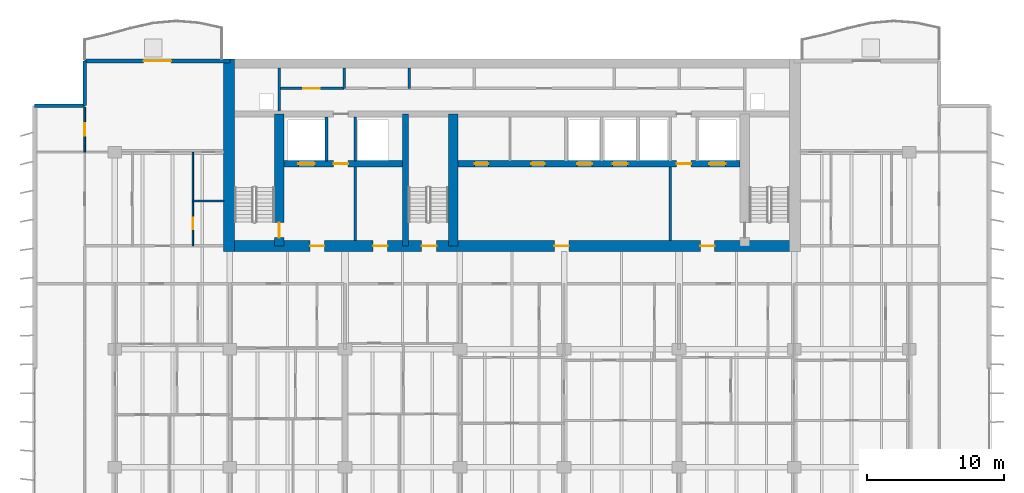
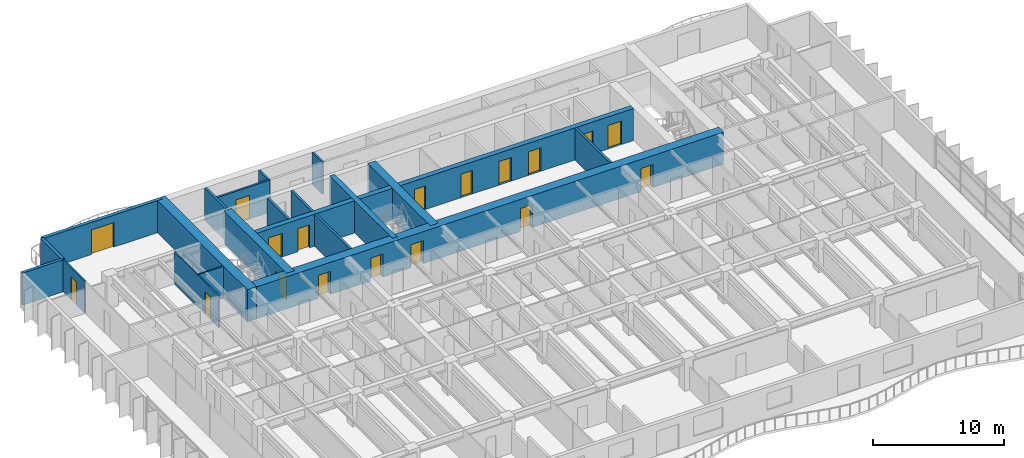
# One storey, part 10 of 16: 20 walls, 18 doors, 18 openings.
"""IFC4 building model written with IfcOpenShell, lengths in metres."""

from ifc_helpers import new_model, si_unit, direction, frame, frame_2d, origin, place, context, subcontext, project, spatial, rectangle, extrude, material, layer, layer_set, type_object, element, fill, save


model = new_model("IFC4")

# Units and contexts
model_context = context("Model", 3, precision=1e-05, world=origin(), true_north=direction((0.0, 1.0)))
body_context = subcontext(model_context, "Body", "Model", "MODEL_VIEW")
ifc_project = project(units=[si_unit("LENGTHUNIT", "METRE"), si_unit("AREAUNIT", "SQUARE_METRE"), si_unit("VOLUMEUNIT", "CUBIC_METRE"), si_unit("PLANEANGLEUNIT", "RADIAN"), si_unit("MASSUNIT", "GRAM", prefix="KILO")], contexts=[model_context])

# Site, building, storey
site_placement = place(None, origin())
site = spatial("IfcSite", under=ifc_project, at=site_placement, CompositionType="ELEMENT")
building_placement = place(site_placement, origin())
building = spatial("IfcBuilding", under=site, at=building_placement, Name="Caelmar Bay Residences", CompositionType="ELEMENT")
storey_placement = place(building_placement, frame((0.0, 0.0, 148.800048828125)))
storey = spatial("IfcBuildingStorey", under=building, at=storey_placement, Name="L41", CompositionType="ELEMENT", Elevation=148.800048828125)

# Wall, opening, door
ifc_material_1 = material(Name="Concrete f'c 55 MPa (8,000 psi)", Category="concrete")
ifc_layer_1 = layer(ifc_material_1, 0.699951171875)
ifc_layer_set_1 = layer_set([ifc_layer_1], Name="Concrete f'c 55 MPa (8,000 psi)")
wall_type_1 = type_object("IfcWallType", Name="SW-COR-700", PredefinedType="SHEAR", material=ifc_layer_set_1)
wall_1_placement = place(storey_placement, frame((21.89990234375, 36.949951171875, 0.0), z_axis=(0.0, 0.0, 1.0), x_axis=(0.0, 1.0, 0.0)))
wall_1 = element("IfcWall", 1, at=wall_1_placement, inside=storey, type_object=wall_type_1, Name="L41 Core Structural Web Wall ST1E", PredefinedType="SHEAR", context=body_context, shape_type="SweptSolid", body=[
    extrude(rectangle(XDim=9.625, YDim=0.699951171875, at=frame_2d((4.8125, 0.0))), origin(), (0.0, 0.0, 1.0), 3.0),
])
opening_1_placement = place(wall_1_placement, frame((0.60009765625, 0.0, 0.0)))
opening_1 = element("IfcOpeningElement", 2, at=opening_1_placement, cuts=wall_1, Name="Opening D-L41-107", PredefinedType="OPENING", context=body_context, shape_type="SweptSolid", body=[
    extrude(rectangle(XDim=1.10009765625, YDim=2.14990234375, at=frame_2d((0.550048828125, 1.074951171875))), frame((0.0, 0.35986328125, 0.0), z_axis=(0.0, -1.0, 0.0), x_axis=(1.0, 0.0, 0.0)), (0.0, 0.0, 1.0), 0.719970703125),
])
ifc_material_2 = material(Name="Fire-rated steel and walnut architectural door assembly", Category="steel")
ifc_layer_2 = layer(ifc_material_2, 0.050048828125)
ifc_layer_set_2 = layer_set([ifc_layer_2], Name="Fire-rated steel and walnut architectural door assembly")
door_type_1 = type_object("IfcDoorType", Name="D-STAIR-1100", OperationType="NOTDEFINED", PredefinedType="DOOR", material=ifc_layer_set_2)
door_1_placement = place(opening_1_placement, origin())
door_1 = element("IfcDoor", 3, at=door_1_placement, inside=storey, type_object=door_type_1, Name="L41 Firefighting Lobby West Door", OperationType="SINGLE_SWING_RIGHT", OverallHeight=2.14990234375, OverallWidth=1.10009765625, PredefinedType="DOOR", context=body_context, shape_type="SweptSolid", body=[
    extrude(rectangle(XDim=1.10009765625, YDim=2.14990234375, at=frame_2d((0.550048828125, 1.074951171875))), frame((0.0, 0.02490234375, 0.0), z_axis=(0.0, -1.0, 0.0), x_axis=(1.0, 0.0, 0.0)), (0.0, 0.0, 1.0), 0.050048828125),
])
fill(opening_1, door_1)

# Wall
wall_2_placement = place(storey_placement, frame((34.60009765625, 36.949951171875, 0.0), z_axis=(0.0, 0.0, 1.0), x_axis=(0.0, 1.0, 0.0)))
element("IfcWall", 4, at=wall_2_placement, inside=storey, type_object=wall_type_1, Name="L41 Core Structural Web Wall ST3E", PredefinedType="SHEAR", context=body_context, shape_type="SweptSolid", body=[
    extrude(rectangle(XDim=9.625, YDim=0.699951171875, at=frame_2d((4.8125, 0.0))), origin(), (0.0, 0.0, 1.0), 3.0),
])

# Wall, openings, doors
ifc_material_3 = material(Name="Concrete f'c 70 MPa (10,000 psi)", Category="concrete")
ifc_layer_3 = layer(ifc_material_3, 0.800048828125)
ifc_layer_set_3 = layer_set([ifc_layer_3], Name="Concrete f'c 70 MPa (10,000 psi)")
wall_type_2 = type_object("IfcWallType", Name="SW-COR-800", PredefinedType="SHEAR", material=ifc_layer_set_3)
wall_3_placement = place(storey_placement, frame((17.85009765625, 36.949951171875, 0.0), z_axis=(0.0, 0.0, 1.0), x_axis=(1.0, 0.0, 0.0)))
wall_3 = element("IfcWall", 5, at=wall_3_placement, inside=storey, type_object=wall_type_2, Name="L41 Rear Core South Shear Wall", PredefinedType="SHEAR", context=body_context, shape_type="SweptSolid", body=[
    extrude(rectangle(XDim=42.099853515625, YDim=0.800048828125, at=frame_2d((21.0498046875, 0.0))), origin(), (0.0, 0.0, 1.0), 3.0),
])
opening_2_placement = place(wall_3_placement, frame((14.449951171875, 0.0, 0.0)))
opening_2 = element("IfcOpeningElement", 6, at=opening_2_placement, cuts=wall_3, Name="Opening D-L41-105", PredefinedType="OPENING", context=body_context, shape_type="SweptSolid", body=[
    extrude(rectangle(XDim=1.10009765625, YDim=2.14990234375, at=frame_2d((0.550048828125, 1.074951171875))), frame((0.0, 0.409912109375, 0.0), z_axis=(0.0, -1.0, 0.0), x_axis=(1.0, 0.0, 0.0)), (0.0, 0.0, 1.0), 0.820068359375),
])
opening_3_placement = place(wall_3_placement, frame((6.300048828125, 0.0, 0.0)))
opening_3 = element("IfcOpeningElement", 7, at=opening_3_placement, cuts=wall_3, Name="Opening D-L41-106", PredefinedType="OPENING", context=body_context, shape_type="SweptSolid", body=[
    extrude(rectangle(XDim=1.050048828125, YDim=2.14990234375, at=frame_2d((0.52490234375, 1.074951171875))), frame((0.0, 0.409912109375, 0.0), z_axis=(0.0, -1.0, 0.0), x_axis=(1.0, 0.0, 0.0)), (0.0, 0.0, 1.0), 0.820068359375),
])
opening_4_placement = place(wall_3_placement, frame((34.800048828125, 0.0, 0.0)))
opening_4 = element("IfcOpeningElement", 8, at=opening_4_placement, cuts=wall_3, Name="Opening D-L41-109", PredefinedType="OPENING", context=body_context, shape_type="SweptSolid", body=[
    extrude(rectangle(XDim=1.050048828125, YDim=2.14990234375, at=frame_2d((0.52490234375, 1.074951171875))), frame((0.0, 0.409912109375, 0.0), z_axis=(0.0, -1.0, 0.0), x_axis=(1.0, 0.0, 0.0)), (0.0, 0.0, 1.0), 0.820068359375),
])
opening_5_placement = place(wall_3_placement, frame((10.91259765625, 0.0, 0.0)))
opening_5 = element("IfcOpeningElement", 9, at=opening_5_placement, cuts=wall_3, Name="Opening D-L41-112", PredefinedType="OPENING", context=body_context, shape_type="SweptSolid", body=[
    extrude(rectangle(XDim=1.050048828125, YDim=2.14990234375, at=frame_2d((0.52490234375, 1.074951171875))), frame((0.0, 0.409912109375, 0.0), z_axis=(0.0, -1.0, 0.0), x_axis=(1.0, 0.0, 0.0)), (0.0, 0.0, 1.0), 0.820068359375),
])
opening_6_placement = place(wall_3_placement, frame((24.14990234375, 0.0, 0.0)))
opening_6 = element("IfcOpeningElement", 10, at=opening_6_placement, cuts=wall_3, Name="Opening D-L41-113", PredefinedType="OPENING", context=body_context, shape_type="SweptSolid", body=[
    extrude(rectangle(XDim=1.050048828125, YDim=2.14990234375, at=frame_2d((0.52490234375, 1.074951171875))), frame((0.0, 0.409912109375, 0.0), z_axis=(0.0, -1.0, 0.0), x_axis=(1.0, 0.0, 0.0)), (0.0, 0.0, 1.0), 0.820068359375),
])
ifc_layer_4 = layer(ifc_material_2, 0.050048828125)
ifc_layer_set_4 = layer_set([ifc_layer_4], Name="Fire-rated steel and walnut architectural door assembly")
door_type_2 = type_object("IfcDoorType", Name="D-FSAE-1050", OperationType="NOTDEFINED", PredefinedType="DOOR", material=ifc_layer_set_4)
door_2_placement = place(opening_3_placement, origin())
door_2 = element("IfcDoor", 11, at=door_2_placement, inside=storey, type_object=door_type_2, Name="L41 Firefighting Lobby West Door", OperationType="SINGLE_SWING_LEFT", OverallHeight=2.14990234375, OverallWidth=1.050048828125, PredefinedType="DOOR", context=body_context, shape_type="SweptSolid", body=[
    extrude(rectangle(XDim=1.050048828125, YDim=2.14990234375, at=frame_2d((0.52490234375, 1.074951171875))), frame((0.0, 0.02490234375, 0.0), z_axis=(0.0, -1.0, 0.0), x_axis=(1.0, 0.0, 0.0)), (0.0, 0.0, 1.0), 0.050048828125),
])
fill(opening_3, door_2)
door_3_placement = place(opening_4_placement, origin())
door_3 = element("IfcDoor", 12, at=door_3_placement, inside=storey, type_object=door_type_2, Name="L41 Firefighting Lobby East Door", OperationType="SINGLE_SWING_RIGHT", OverallHeight=2.14990234375, OverallWidth=1.050048828125, PredefinedType="DOOR", context=body_context, shape_type="SweptSolid", body=[
    extrude(rectangle(XDim=1.050048828125, YDim=2.14990234375, at=frame_2d((0.52490234375, 1.074951171875))), frame((0.0, 0.02490234375, 0.0), z_axis=(0.0, -1.0, 0.0), x_axis=(1.0, 0.0, 0.0)), (0.0, 0.0, 1.0), 0.050048828125),
])
fill(opening_4, door_3)
door_4_placement = place(opening_5_placement, origin())
door_4 = element("IfcDoor", 13, at=door_4_placement, inside=storey, type_object=door_type_2, Name="L41 West Lift Lobby Door", OperationType="SINGLE_SWING_LEFT", OverallHeight=2.14990234375, OverallWidth=1.050048828125, PredefinedType="DOOR", context=body_context, shape_type="SweptSolid", body=[
    extrude(rectangle(XDim=1.050048828125, YDim=2.14990234375, at=frame_2d((0.52490234375, 1.074951171875))), frame((0.0, 0.02490234375, 0.0), z_axis=(0.0, -1.0, 0.0), x_axis=(1.0, 0.0, 0.0)), (0.0, 0.0, 1.0), 0.050048828125),
])
fill(opening_5, door_4)
door_5_placement = place(opening_6_placement, origin())
door_5 = element("IfcDoor", 14, at=door_5_placement, inside=storey, type_object=door_type_2, Name="L41 Passenger Lift Lobby Door", OperationType="SINGLE_SWING_RIGHT", OverallHeight=2.14990234375, OverallWidth=1.050048828125, PredefinedType="DOOR", context=body_context, shape_type="SweptSolid", body=[
    extrude(rectangle(XDim=1.050048828125, YDim=2.14990234375, at=frame_2d((0.52490234375, 1.074951171875))), frame((0.0, 0.02490234375, 0.0), z_axis=(0.0, -1.0, 0.0), x_axis=(1.0, 0.0, 0.0)), (0.0, 0.0, 1.0), 0.050048828125),
])
fill(opening_6, door_5)
door_6_placement = place(opening_2_placement, origin())
door_6 = element("IfcDoor", 15, at=door_6_placement, inside=storey, type_object=door_type_1, Name="L41 Exit Stair ST3 Door", OperationType="SINGLE_SWING_RIGHT", OverallHeight=2.14990234375, OverallWidth=1.10009765625, PredefinedType="DOOR", context=body_context, shape_type="SweptSolid", body=[
    extrude(rectangle(XDim=1.10009765625, YDim=2.14990234375, at=frame_2d((0.550048828125, 1.074951171875))), frame((0.0, 0.02490234375, 0.0), z_axis=(0.0, -1.0, 0.0), x_axis=(1.0, 0.0, 0.0)), (0.0, 0.0, 1.0), 0.050048828125),
])
fill(opening_2, door_6)

# Walls
wall_4_placement = place(storey_placement, frame((18.25, 36.550048828125, 0.0), z_axis=(0.0, 0.0, 1.0), x_axis=(0.0, 1.0, 0.0)))
element("IfcWall", 16, at=wall_4_placement, inside=storey, type_object=wall_type_2, Name="L41 Rear Core West Shear Wall", PredefinedType="SHEAR", context=body_context, shape_type="SweptSolid", body=[
    extrude(rectangle(XDim=14.050048828125, YDim=0.800048828125, at=frame_2d((7.02490234375, 0.0))), origin(), (0.0, 0.0, 1.0), 3.0),
])
ifc_layer_5 = layer(ifc_material_3, 0.449951171875)
ifc_layer_set_5 = layer_set([ifc_layer_5], Name="Concrete f'c 70 MPa (10,000 psi)")
wall_type_3 = type_object("IfcWallType", Name="SW-WEB-450", PredefinedType="SHEAR", material=ifc_layer_set_5)
wall_5_placement = place(storey_placement, frame((31.125, 36.949951171875, 0.0), z_axis=(0.0, 0.0, 1.0), x_axis=(0.0, 1.0, 0.0)))
element("IfcWall", 17, at=wall_5_placement, inside=storey, type_object=wall_type_3, Name="L41 Core Structural Web Wall ST3W", PredefinedType="SHEAR", context=body_context, shape_type="SweptSolid", body=[
    extrude(rectangle(XDim=9.625, YDim=0.449951171875, at=frame_2d((4.8125, 0.0))), origin(), (0.0, 0.0, 1.0), 3.0),
])

# Wall, openings, doors
wall_6_placement = place(storey_placement, frame((22.25, 42.949951171875, 0.0), z_axis=(0.0, 0.0, 1.0), x_axis=(1.0, 0.0, 0.0)))
wall_6 = element("IfcWall", 18, at=wall_6_placement, inside=storey, type_object=wall_type_3, Name="L41 Core Structural Web Wall LFR", PredefinedType="SHEAR", context=body_context, shape_type="SweptSolid", body=[
    extrude(rectangle(XDim=33.300048828125, YDim=0.449951171875, at=frame_2d((16.64990234375, 0.0))), origin(), (0.0, 0.0, 1.0), 3.0),
])
opening_7_placement = place(wall_6_placement, frame((1.050048828125, 0.0, 0.0)))
opening_7 = element("IfcOpeningElement", 19, at=opening_7_placement, cuts=wall_6, Name="Opening LD2", PredefinedType="OPENING", context=body_context, shape_type="SweptSolid", body=[
    extrude(rectangle(XDim=1.199951171875, YDim=2.199951171875, at=frame_2d((0.60009765625, 1.10009765625))), frame((0.0, 0.23486328125, 0.0), z_axis=(0.0, -1.0, 0.0), x_axis=(1.0, 0.0, 0.0)), (0.0, 0.0, 1.0), 0.469970703125),
])
opening_8_placement = place(wall_6_placement, frame((31.050048828125, 0.0, 0.0)))
opening_8 = element("IfcOpeningElement", 20, at=opening_8_placement, cuts=wall_6, Name="Opening LD2", PredefinedType="OPENING", context=body_context, shape_type="SweptSolid", body=[
    extrude(rectangle(XDim=1.199951171875, YDim=2.199951171875, at=frame_2d((0.60009765625, 1.10009765625))), frame((0.0, 0.23486328125, 0.0), z_axis=(0.0, -1.0, 0.0), x_axis=(1.0, 0.0, 0.0)), (0.0, 0.0, 1.0), 0.469970703125),
])
opening_9_placement = place(wall_6_placement, frame((21.39990234375, 0.0, 0.0)))
opening_9 = element("IfcOpeningElement", 21, at=opening_9_placement, cuts=wall_6, Name="Opening LD1", PredefinedType="OPENING", context=body_context, shape_type="SweptSolid", body=[
    extrude(rectangle(XDim=1.10009765625, YDim=2.199951171875, at=frame_2d((0.550048828125, 1.10009765625))), frame((0.0, 0.23486328125, 0.0), z_axis=(0.0, -1.0, 0.0), x_axis=(1.0, 0.0, 0.0)), (0.0, 0.0, 1.0), 0.469970703125),
])
opening_10_placement = place(wall_6_placement, frame((24.0, 0.0, 0.0)))
opening_10 = element("IfcOpeningElement", 22, at=opening_10_placement, cuts=wall_6, Name="Opening LD1", PredefinedType="OPENING", context=body_context, shape_type="SweptSolid", body=[
    extrude(rectangle(XDim=1.10009765625, YDim=2.199951171875, at=frame_2d((0.550048828125, 1.10009765625))), frame((0.0, 0.23486328125, 0.0), z_axis=(0.0, -1.0, 0.0), x_axis=(1.0, 0.0, 0.0)), (0.0, 0.0, 1.0), 0.469970703125),
])
opening_11_placement = place(wall_6_placement, frame((3.625, 0.0, 0.0)))
opening_11 = element("IfcOpeningElement", 23, at=opening_11_placement, cuts=wall_6, Name="Opening D-L41-108", PredefinedType="OPENING", context=body_context, shape_type="SweptSolid", body=[
    extrude(rectangle(XDim=1.050048828125, YDim=2.14990234375, at=frame_2d((0.52490234375, 1.074951171875))), frame((0.0, 0.23486328125, 0.0), z_axis=(0.0, -1.0, 0.0), x_axis=(1.0, 0.0, 0.0)), (0.0, 0.0, 1.0), 0.469970703125),
])
opening_12_placement = place(wall_6_placement, frame((28.675048828125, 0.0, 0.0)))
opening_12 = element("IfcOpeningElement", 24, at=opening_12_placement, cuts=wall_6, Name="Opening D-L41-111", PredefinedType="OPENING", context=body_context, shape_type="SweptSolid", body=[
    extrude(rectangle(XDim=1.050048828125, YDim=2.14990234375, at=frame_2d((0.52490234375, 1.074951171875))), frame((0.0, 0.23486328125, 0.0), z_axis=(0.0, -1.0, 0.0), x_axis=(1.0, 0.0, 0.0)), (0.0, 0.0, 1.0), 0.469970703125),
])
opening_13_placement = place(wall_6_placement, frame((13.925048828125, 0.0, 0.0)))
opening_13 = element("IfcOpeningElement", 25, at=opening_13_placement, cuts=wall_6, Name="Opening D-L41-114", PredefinedType="OPENING", context=body_context, shape_type="SweptSolid", body=[
    extrude(rectangle(XDim=1.0, YDim=2.199951171875, at=frame_2d((0.5, 1.10009765625))), frame((0.0, 0.23486328125, 0.0), z_axis=(0.0, -1.0, 0.0), x_axis=(1.0, 0.0, 0.0)), (0.0, 0.0, 1.0), 0.469970703125),
])
opening_14_placement = place(wall_6_placement, frame((18.050048828125, 0.0, 0.0)))
opening_14 = element("IfcOpeningElement", 26, at=opening_14_placement, cuts=wall_6, Name="Opening D-L41-115", PredefinedType="OPENING", context=body_context, shape_type="SweptSolid", body=[
    extrude(rectangle(XDim=1.0, YDim=2.199951171875, at=frame_2d((0.5, 1.10009765625))), frame((0.0, 0.23486328125, 0.0), z_axis=(0.0, -1.0, 0.0), x_axis=(1.0, 0.0, 0.0)), (0.0, 0.0, 1.0), 0.469970703125),
])
door_7_placement = place(opening_11_placement, origin())
door_7 = element("IfcDoor", 27, at=door_7_placement, inside=storey, type_object=door_type_2, Name="L41 Firefighting Lobby West Door", OperationType="SINGLE_SWING_LEFT", OverallHeight=2.14990234375, OverallWidth=1.050048828125, PredefinedType="DOOR", context=body_context, shape_type="SweptSolid", body=[
    extrude(rectangle(XDim=1.050048828125, YDim=2.14990234375, at=frame_2d((0.52490234375, 1.074951171875))), frame((0.0, 0.02490234375, 0.0), z_axis=(0.0, -1.0, 0.0), x_axis=(1.0, 0.0, 0.0)), (0.0, 0.0, 1.0), 0.050048828125),
])
fill(opening_11, door_7)
door_8_placement = place(opening_12_placement, origin())
door_8 = element("IfcDoor", 28, at=door_8_placement, inside=storey, type_object=door_type_2, Name="L41 Firefighting Lobby East Door", OperationType="SINGLE_SWING_RIGHT", OverallHeight=2.14990234375, OverallWidth=1.050048828125, PredefinedType="DOOR", context=body_context, shape_type="SweptSolid", body=[
    extrude(rectangle(XDim=1.050048828125, YDim=2.14990234375, at=frame_2d((0.52490234375, 1.074951171875))), frame((0.0, 0.02490234375, 0.0), z_axis=(0.0, -1.0, 0.0), x_axis=(1.0, 0.0, 0.0)), (0.0, 0.0, 1.0), 0.050048828125),
])
fill(opening_12, door_8)
ifc_material_4 = material(Name="Brushed bronze stainless-steel fire-rated lift landing doors", Category="steel")
ifc_layer_6 = layer(ifc_material_4, 0.050048828125)
ifc_layer_set_6 = layer_set([ifc_layer_6], Name="Brushed bronze stainless-steel fire-rated lift landing doors")
door_type_3 = type_object("IfcDoorType", Name="D-LND-1100", OperationType="DOUBLE_DOOR_SLIDING", PredefinedType="DOOR", material=ifc_layer_set_6)
door_9_placement = place(opening_9_placement, origin())
door_9 = element("IfcDoor", 29, at=door_9_placement, inside=storey, type_object=door_type_3, Name="L41 LP4 Sliding Landing Door", OperationType="DOUBLE_DOOR_SLIDING", OverallHeight=2.199951171875, OverallWidth=1.10009765625, PredefinedType="DOOR", context=body_context, shape_type="SweptSolid", body=[
    extrude(rectangle(XDim=1.10009765625, YDim=2.199951171875, at=frame_2d((0.550048828125, 1.10009765625))), frame((0.0, 0.02490234375, 0.0), z_axis=(0.0, -1.0, 0.0), x_axis=(1.0, 0.0, 0.0)), (0.0, 0.0, 1.0), 0.050048828125),
])
fill(opening_9, door_9)
door_10_placement = place(opening_10_placement, origin())
door_10 = element("IfcDoor", 30, at=door_10_placement, inside=storey, type_object=door_type_3, Name="L41 LP5 Sliding Landing Door", OperationType="DOUBLE_DOOR_SLIDING", OverallHeight=2.199951171875, OverallWidth=1.10009765625, PredefinedType="DOOR", context=body_context, shape_type="SweptSolid", body=[
    extrude(rectangle(XDim=1.10009765625, YDim=2.199951171875, at=frame_2d((0.550048828125, 1.10009765625))), frame((0.0, 0.02490234375, 0.0), z_axis=(0.0, -1.0, 0.0), x_axis=(1.0, 0.0, 0.0)), (0.0, 0.0, 1.0), 0.050048828125),
])
fill(opening_10, door_10)
ifc_material_5 = material(Name="Brushed stainless-steel FSAE sliding landing door", Category="steel")
ifc_layer_7 = layer(ifc_material_5, 0.050048828125)
ifc_layer_set_7 = layer_set([ifc_layer_7], Name="Brushed stainless-steel FSAE sliding landing door")
door_type_4 = type_object("IfcDoorType", Name="D-LND-1200", OperationType="DOUBLE_DOOR_SLIDING", PredefinedType="DOOR", material=ifc_layer_set_7)
door_11_placement = place(opening_7_placement, origin())
door_11 = element("IfcDoor", 31, at=door_11_placement, inside=storey, type_object=door_type_4, Name="L41 LF1 Sliding Landing Door", OperationType="DOUBLE_DOOR_SLIDING", OverallHeight=2.199951171875, OverallWidth=1.199951171875, PredefinedType="DOOR", context=body_context, shape_type="SweptSolid", body=[
    extrude(rectangle(XDim=1.199951171875, YDim=2.199951171875, at=frame_2d((0.60009765625, 1.10009765625))), frame((0.0, 0.02490234375, 0.0), z_axis=(0.0, -1.0, 0.0), x_axis=(1.0, 0.0, 0.0)), (0.0, 0.0, 1.0), 0.050048828125),
])
fill(opening_7, door_11)
door_12_placement = place(opening_8_placement, origin())
door_12 = element("IfcDoor", 32, at=door_12_placement, inside=storey, type_object=door_type_4, Name="L41 LF2 Sliding Landing Door", OperationType="DOUBLE_DOOR_SLIDING", OverallHeight=2.199951171875, OverallWidth=1.199951171875, PredefinedType="DOOR", context=body_context, shape_type="SweptSolid", body=[
    extrude(rectangle(XDim=1.199951171875, YDim=2.199951171875, at=frame_2d((0.60009765625, 1.10009765625))), frame((0.0, 0.02490234375, 0.0), z_axis=(0.0, -1.0, 0.0), x_axis=(1.0, 0.0, 0.0)), (0.0, 0.0, 1.0), 0.050048828125),
])
fill(opening_8, door_12)
ifc_layer_8 = layer(ifc_material_2, 0.050048828125)
ifc_layer_set_8 = layer_set([ifc_layer_8], Name="Fire-rated steel and walnut architectural door assembly")
door_type_5 = type_object("IfcDoorType", Name="D-UNIT-1000", OperationType="NOTDEFINED", PredefinedType="DOOR", material=ifc_layer_set_8)
door_13_placement = place(opening_13_placement, origin())
door_13 = element("IfcDoor", 33, at=door_13_placement, inside=storey, type_object=door_type_5, Name="L41 Residents Study Room Door", OperationType="SINGLE_SWING_LEFT", OverallHeight=2.199951171875, OverallWidth=1.0, PredefinedType="DOOR", context=body_context, shape_type="SweptSolid", body=[
    extrude(rectangle(XDim=1.0, YDim=2.199951171875, at=frame_2d((0.5, 1.10009765625))), frame((0.0, 0.02490234375, 0.0), z_axis=(0.0, -1.0, 0.0), x_axis=(1.0, 0.0, 0.0)), (0.0, 0.0, 1.0), 0.050048828125),
])
fill(opening_13, door_13)
door_14_placement = place(opening_14_placement, origin())
door_14 = element("IfcDoor", 34, at=door_14_placement, inside=storey, type_object=door_type_5, Name="L41 Wine Tasting Room Door", OperationType="SINGLE_SWING_RIGHT", OverallHeight=2.199951171875, OverallWidth=1.0, PredefinedType="DOOR", context=body_context, shape_type="SweptSolid", body=[
    extrude(rectangle(XDim=1.0, YDim=2.199951171875, at=frame_2d((0.5, 1.10009765625))), frame((0.0, 0.02490234375, 0.0), z_axis=(0.0, -1.0, 0.0), x_axis=(1.0, 0.0, 0.0)), (0.0, 0.0, 1.0), 0.050048828125),
])
fill(opening_14, door_14)

# Walls
ifc_material_6 = material(Name="Double-stud acoustic fire-rated gypsum partition 180 mm")
ifc_layer_9 = layer(ifc_material_6, 0.179931640625)
ifc_layer_set_9 = layer_set([ifc_layer_9], Name="Double-stud acoustic fire-rated gypsum partition 180 mm")
wall_type_4 = type_object("IfcWallType", Name="W-COR-200", PredefinedType="PARTITIONING", material=ifc_layer_set_9)
for number, where, z_axis, x_axis, name in (
    (35, (26.64990234375, 48.449951171875, 0.0), (0.0, 0.0, 1.0), (0.0, 1.0, 0.0), "L41 Partition Wall V029"),
    (36, (31.39990234375, 48.449951171875, 0.0), (0.0, 0.0, 1.0), (0.0, 1.0, 0.0), "L41 Partition Wall V039"),
):
    element("IfcWall", number, at=place(storey_placement, frame(where, z_axis=z_axis, x_axis=x_axis)), inside=storey, type_object=wall_type_4, Name=name, PredefinedType="PARTITIONING", context=body_context, shape_type="SweptSolid", body=[
        extrude(rectangle(XDim=1.505126953125, YDim=0.179931640625, at=frame_2d((0.75244140625, 0.0))), origin(), (0.0, 0.0, 1.0), 3.0),
    ])

# Wall, opening, door
wall_7_placement = place(storey_placement, frame((21.89990234375, 48.449951171875, 0.0), z_axis=(0.0, 0.0, 1.0), x_axis=(1.0, 0.0, 0.0)))
wall_7 = element("IfcWall", 37, at=wall_7_placement, inside=storey, type_object=wall_type_4, Name="L41 Partition Wall H121", PredefinedType="PARTITIONING", context=body_context, shape_type="SweptSolid", body=[
    extrude(rectangle(XDim=4.75, YDim=0.179931640625, at=frame_2d((2.375, 0.0))), origin(), (0.0, 0.0, 1.0), 3.0),
])
opening_15_placement = place(wall_7_placement, frame((1.77490234375, 0.0, 0.0)))
opening_15 = element("IfcOpeningElement", 38, at=opening_15_placement, cuts=wall_7, Name="Opening D-L41-118", PredefinedType="OPENING", context=body_context, shape_type="SweptSolid", body=[
    extrude(rectangle(XDim=1.199951171875, YDim=2.199951171875, at=frame_2d((0.60009765625, 1.10009765625))), frame((0.0, 0.099853515625, 0.0), z_axis=(0.0, -1.0, 0.0), x_axis=(1.0, 0.0, 0.0)), (0.0, 0.0, 1.0), 0.199951171875),
])
ifc_layer_10 = layer(ifc_material_2, 0.050048828125)
ifc_layer_set_10 = layer_set([ifc_layer_10], Name="Fire-rated steel and walnut architectural door assembly")
door_type_6 = type_object("IfcDoorType", Name="D-PLANT-1200", OperationType="NOTDEFINED", PredefinedType="DOOR", material=ifc_layer_set_10)
door_15_placement = place(opening_15_placement, origin())
door_15 = element("IfcDoor", 39, at=door_15_placement, inside=storey, type_object=door_type_6, Name="L41 Branch Panel Closet Door", OperationType="SINGLE_SWING_LEFT", OverallHeight=2.199951171875, OverallWidth=1.199951171875, PredefinedType="DOOR", context=body_context, shape_type="SweptSolid", body=[
    extrude(rectangle(XDim=1.199951171875, YDim=2.199951171875, at=frame_2d((0.60009765625, 1.10009765625))), frame((0.0, 0.02490234375, 0.0), z_axis=(0.0, -1.0, 0.0), x_axis=(1.0, 0.0, 0.0)), (0.0, 0.0, 1.0), 0.050048828125),
])
fill(opening_15, door_15)

# Walls
ifc_material_7 = material(Name="Precast concrete f'c 40 MPa (6,000 psi)", Category="concrete")
ifc_layer_11 = layer(ifc_material_7, 0.25)
ifc_layer_set_11 = layer_set([ifc_layer_11], Name="Precast concrete f'c 40 MPa (6,000 psi)")
wall_type_5 = type_object("IfcWallType", Name="W-EXT-250", PredefinedType="ELEMENTEDWALL", material=ifc_layer_set_11)
wall_8_placement = place(storey_placement, frame((4.050048828125, 47.199951171875, 0.0), z_axis=(0.0, 0.0, 1.0), x_axis=(1.0, 0.0, 0.0)))
element("IfcWall", 40, at=wall_8_placement, inside=storey, type_object=wall_type_5, Name="L41 NNW-H Notch Wall", PredefinedType="ELEMENTEDWALL", context=body_context, shape_type="SweptSolid", body=[
    extrude(rectangle(XDim=3.64990234375, YDim=0.25, at=frame_2d((1.824951171875, 0.0))), origin(), (0.0, 0.0, 1.0), 3.0),
])
wall_9_placement = place(storey_placement, frame((7.699951171875, 47.199951171875, 0.0), z_axis=(0.0, 0.0, 1.0), x_axis=(0.0, 1.0, 0.0)))
element("IfcWall", 41, at=wall_9_placement, inside=storey, type_object=wall_type_5, Name="L41 NNW-V Notch Wall", PredefinedType="ELEMENTEDWALL", context=body_context, shape_type="SweptSolid", body=[
    extrude(rectangle(XDim=3.25, YDim=0.25, at=frame_2d((1.625, 0.0))), origin(), (0.0, 0.0, 1.0), 3.0),
])

# Wall, opening, door
ifc_layer_12 = layer(ifc_material_7, 0.300048828125)
ifc_layer_set_12 = layer_set([ifc_layer_12], Name="Precast concrete f'c 40 MPa (6,000 psi)")
wall_type_6 = type_object("IfcWallType", Name="W-EXT-300", PredefinedType="STANDARD", material=ifc_layer_set_12)
wall_10_placement = place(storey_placement, frame((7.699951171875, 50.449951171875, 0.0), z_axis=(0.0, 0.0, 1.0), x_axis=(1.0, 0.0, 0.0)))
wall_10 = element("IfcWall", 42, at=wall_10_placement, inside=storey, type_object=wall_type_6, Name="L41 North-West Wing Exterior Wall", PredefinedType="STANDARD", context=body_context, shape_type="SweptSolid", body=[
    extrude(rectangle(XDim=10.60009765625, YDim=0.300048828125, at=frame_2d((5.300048828125, 0.0))), origin(), (0.0, 0.0, 1.0), 3.0),
])
opening_16_placement = place(wall_10_placement, frame((4.300048828125, 0.0, 0.0)))
opening_16 = element("IfcOpeningElement", 43, at=opening_16_placement, cuts=wall_10, Name="Opening L41-BDNW", PredefinedType="OPENING", context=body_context, shape_type="SweptSolid", body=[
    extrude(rectangle(XDim=2.0, YDim=2.300048828125, at=frame_2d((1.0, 1.14990234375))), frame((0.0, 0.159912109375, 0.0), z_axis=(0.0, -1.0, 0.0), x_axis=(1.0, 0.0, 0.0)), (0.0, 0.0, 1.0), 0.320068359375),
])
ifc_material_8 = material(Name="Anodised bronze thermally broken sliding glass door", Category="glass")
ifc_layer_13 = layer(ifc_material_8, 0.050048828125)
ifc_layer_set_13 = layer_set([ifc_layer_13], Name="Anodised bronze thermally broken sliding glass door")
door_type_7 = type_object("IfcDoorType", Name="D-BAL-2000", OperationType="DOUBLE_DOOR_SLIDING", PredefinedType="DOOR", material=ifc_layer_set_13)
door_16_placement = place(opening_16_placement, origin())
door_16 = element("IfcDoor", 44, at=door_16_placement, inside=storey, type_object=door_type_7, Name="L41 North-West Balcony Door", OperationType="DOUBLE_DOOR_SLIDING", OverallHeight=2.300048828125, OverallWidth=2.0, PredefinedType="DOOR", context=body_context, shape_type="SweptSolid", body=[
    extrude(rectangle(XDim=2.0, YDim=2.300048828125, at=frame_2d((1.0, 1.14990234375))), frame((0.0, 0.02490234375, 0.0), z_axis=(0.0, -1.0, 0.0), x_axis=(1.0, 0.0, 0.0)), (0.0, 0.0, 1.0), 0.050048828125),
])
fill(opening_16, door_16)

# Walls
ifc_material_9 = material(Name="Fire-rated masonry and gypsum shaftliner assembly 200 mm", Category="masonry")
ifc_layer_14 = layer(ifc_material_9, 0.199951171875)
ifc_layer_set_14 = layer_set([ifc_layer_14], Name="Fire-rated masonry and gypsum shaftliner assembly 200 mm")
wall_type_7 = type_object("IfcWallType", Name="W-FSAE-200", PredefinedType="PARTITIONING", material=ifc_layer_set_14)
wall_11_placement = place(storey_placement, frame((21.89990234375, 46.794921875, 0.0), z_axis=(0.0, 0.0, 1.0), x_axis=(0.0, 1.0, 0.0)))
element("IfcWall", 45, at=wall_11_placement, inside=storey, type_object=wall_type_7, Name="L41 Partition Wall V021", PredefinedType="PARTITIONING", context=body_context, shape_type="SweptSolid", body=[
    extrude(rectangle(XDim=3.16015625, YDim=0.199951171875, at=frame_2d((1.580078125, 0.0))), origin(), (0.0, 0.0, 1.0), 3.0),
])
wall_12_placement = place(storey_placement, frame((25.35009765625, 43.169921875, 0.0), z_axis=(0.0, 0.0, 1.0), x_axis=(0.0, 1.0, 0.0)))
element("IfcWall", 46, at=wall_12_placement, inside=storey, type_object=wall_type_7, Name="L41 Partition Wall V028", PredefinedType="PARTITIONING", context=body_context, shape_type="SweptSolid", body=[
    extrude(rectangle(XDim=3.18505859375, YDim=0.199951171875, at=frame_2d((1.592529296875, 0.0))), origin(), (0.0, 0.0, 1.0), 3.0),
])
wall_13_placement = place(storey_placement, frame((27.449951171875, 37.344970703125, 0.0), z_axis=(0.0, 0.0, 1.0), x_axis=(0.0, 1.0, 0.0)))
element("IfcWall", 47, at=wall_13_placement, inside=storey, type_object=wall_type_7, Name="L41 Partition Wall V034", PredefinedType="PARTITIONING", context=body_context, shape_type="SweptSolid", body=[
    extrude(rectangle(XDim=5.385009765625, YDim=0.199951171875, at=frame_2d((2.6923828125, 0.0))), origin(), (0.0, 0.0, 1.0), 3.0),
])
wall_14_placement = place(storey_placement, frame((27.449951171875, 43.169921875, 0.0), z_axis=(0.0, 0.0, 1.0), x_axis=(0.0, 1.0, 0.0)))
element("IfcWall", 48, at=wall_14_placement, inside=storey, type_object=wall_type_7, Name="L41 Partition Wall V035", PredefinedType="PARTITIONING", context=body_context, shape_type="SweptSolid", body=[
    extrude(rectangle(XDim=3.18505859375, YDim=0.199951171875, at=frame_2d((1.592529296875, 0.0))), origin(), (0.0, 0.0, 1.0), 3.0),
])
wall_15_placement = place(storey_placement, frame((50.449951171875, 37.344970703125, 0.0), z_axis=(0.0, 0.0, 1.0), x_axis=(0.0, 1.0, 0.0)))
element("IfcWall", 49, at=wall_15_placement, inside=storey, type_object=wall_type_7, Name="L41 Partition Wall V059", PredefinedType="PARTITIONING", context=body_context, shape_type="SweptSolid", body=[
    extrude(rectangle(XDim=5.385009765625, YDim=0.199951171875, at=frame_2d((2.6923828125, 0.0))), origin(), (0.0, 0.0, 1.0), 3.0),
])

# Wall, opening, door
ifc_material_10 = material(Name="Acoustic metal-stud gypsum partition 120 mm")
ifc_layer_15 = layer(ifc_material_10, 0.1201171875)
ifc_layer_set_15 = layer_set([ifc_layer_15], Name="Acoustic metal-stud gypsum partition 120 mm")
wall_type_8 = type_object("IfcWallType", Name="W-PRT-120", PredefinedType="PARTITIONING", material=ifc_layer_set_15)
wall_16_placement = place(storey_placement, frame((7.699951171875, 43.804931640625, 0.0), z_axis=(0.0, 0.0, 1.0), x_axis=(0.0, 1.0, 0.0)))
wall_16 = element("IfcWall", 50, at=wall_16_placement, inside=storey, type_object=wall_type_8, Name="L41 Partition Wall V006", PredefinedType="PARTITIONING", context=body_context, shape_type="SweptSolid", body=[
    extrude(rectangle(XDim=3.275146484375, YDim=0.1201171875, at=frame_2d((1.6376953125, 0.0))), origin(), (0.0, 0.0, 1.0), 3.0),
])
opening_17_placement = place(wall_16_placement, frame((1.1875, 0.0, 0.0)))
opening_17 = element("IfcOpeningElement", 51, at=opening_17_placement, cuts=wall_16, Name="Opening D-L41-174", PredefinedType="OPENING", context=body_context, shape_type="SweptSolid", body=[
    extrude(rectangle(XDim=0.89990234375, YDim=2.14990234375, at=frame_2d((0.449951171875, 1.074951171875))), frame((0.0, 0.070068359375, 0.0), z_axis=(0.0, -1.0, 0.0), x_axis=(1.0, 0.0, 0.0)), (0.0, 0.0, 1.0), 0.14013671875),
])
ifc_material_11 = material(Name="Solid walnut timber interior door leaf and frame", Category="wood")
ifc_layer_16 = layer(ifc_material_11, 0.050048828125)
ifc_layer_set_16 = layer_set([ifc_layer_16], Name="Solid walnut timber interior door leaf and frame")
door_type_8 = type_object("IfcDoorType", Name="D-ROOM-900", OperationType="NOTDEFINED", PredefinedType="DOOR", material=ifc_layer_set_16)
door_17_placement = place(opening_17_placement, origin())
door_17 = element("IfcDoor", 52, at=door_17_placement, inside=storey, type_object=door_type_8, Name="L41 Residence WA North Sitting Alcove Door", OperationType="SINGLE_SWING_LEFT", OverallHeight=2.14990234375, OverallWidth=0.89990234375, PredefinedType="DOOR", context=body_context, shape_type="SweptSolid", body=[
    extrude(rectangle(XDim=0.89990234375, YDim=2.14990234375, at=frame_2d((0.449951171875, 1.074951171875))), frame((0.0, 0.02490234375, 0.0), z_axis=(0.0, -1.0, 0.0), x_axis=(1.0, 0.0, 0.0)), (0.0, 0.0, 1.0), 0.050048828125),
])
fill(opening_17, door_17)

wall_17_placement = place(storey_placement, frame((15.60009765625, 36.949951171875, 0.0), z_axis=(0.0, 0.0, 1.0), x_axis=(0.0, 1.0, 0.0)))
wall_17 = element("IfcWall", 53, at=wall_17_placement, inside=storey, type_object=wall_type_8, Name="L41 Partition Wall V015", PredefinedType="PARTITIONING", context=body_context, shape_type="SweptSolid", body=[
    extrude(rectangle(XDim=6.85009765625, YDim=0.1201171875, at=frame_2d((3.425048828125, 0.0))), origin(), (0.0, 0.0, 1.0), 3.0),
])
opening_18_placement = place(wall_17_placement, frame((1.218994140625, 0.0, 0.0)))
opening_18 = element("IfcOpeningElement", 54, at=opening_18_placement, cuts=wall_17, Name="Opening D-L41-171", PredefinedType="OPENING", context=body_context, shape_type="SweptSolid", body=[
    extrude(rectangle(XDim=0.85009765625, YDim=2.10009765625, at=frame_2d((0.425048828125, 1.050048828125))), frame((0.0, 0.070068359375, 0.0), z_axis=(0.0, -1.0, 0.0), x_axis=(1.0, 0.0, 0.0)), (0.0, 0.0, 1.0), 0.14013671875),
])
ifc_layer_17 = layer(ifc_material_11, 0.050048828125)
ifc_layer_set_17 = layer_set([ifc_layer_17], Name="Solid walnut timber interior door leaf and frame")
door_type_9 = type_object("IfcDoorType", Name="D-BATH-850", OperationType="NOTDEFINED", PredefinedType="DOOR", material=ifc_layer_set_17)
door_18_placement = place(opening_18_placement, origin())
door_18 = element("IfcDoor", 55, at=door_18_placement, inside=storey, type_object=door_type_9, Name="L41 Residence WA Walk-In Closet Door", OperationType="SINGLE_SWING_RIGHT", OverallHeight=2.10009765625, OverallWidth=0.85009765625, PredefinedType="DOOR", context=body_context, shape_type="SweptSolid", body=[
    extrude(rectangle(XDim=0.85009765625, YDim=2.10009765625, at=frame_2d((0.425048828125, 1.050048828125))), frame((0.0, 0.02490234375, 0.0), z_axis=(0.0, -1.0, 0.0), x_axis=(1.0, 0.0, 0.0)), (0.0, 0.0, 1.0), 0.050048828125),
])
fill(opening_18, door_18)

# Wall
wall_18_placement = place(storey_placement, frame((15.60009765625, 40.238037109375, 0.0), z_axis=(0.0, 0.0, 1.0), x_axis=(1.0, 0.0, 0.0)))
element("IfcWall", 56, at=wall_18_placement, inside=storey, type_object=wall_type_8, Name="L41 Partition Wall H117", PredefinedType="PARTITIONING", context=body_context, shape_type="SweptSolid", body=[
    extrude(rectangle(XDim=2.2548828125, YDim=0.1201171875, at=frame_2d((1.12744140625, 0.0))), origin(), (0.0, 0.0, 1.0), 3.0),
])

save(model, "model.ifc")
